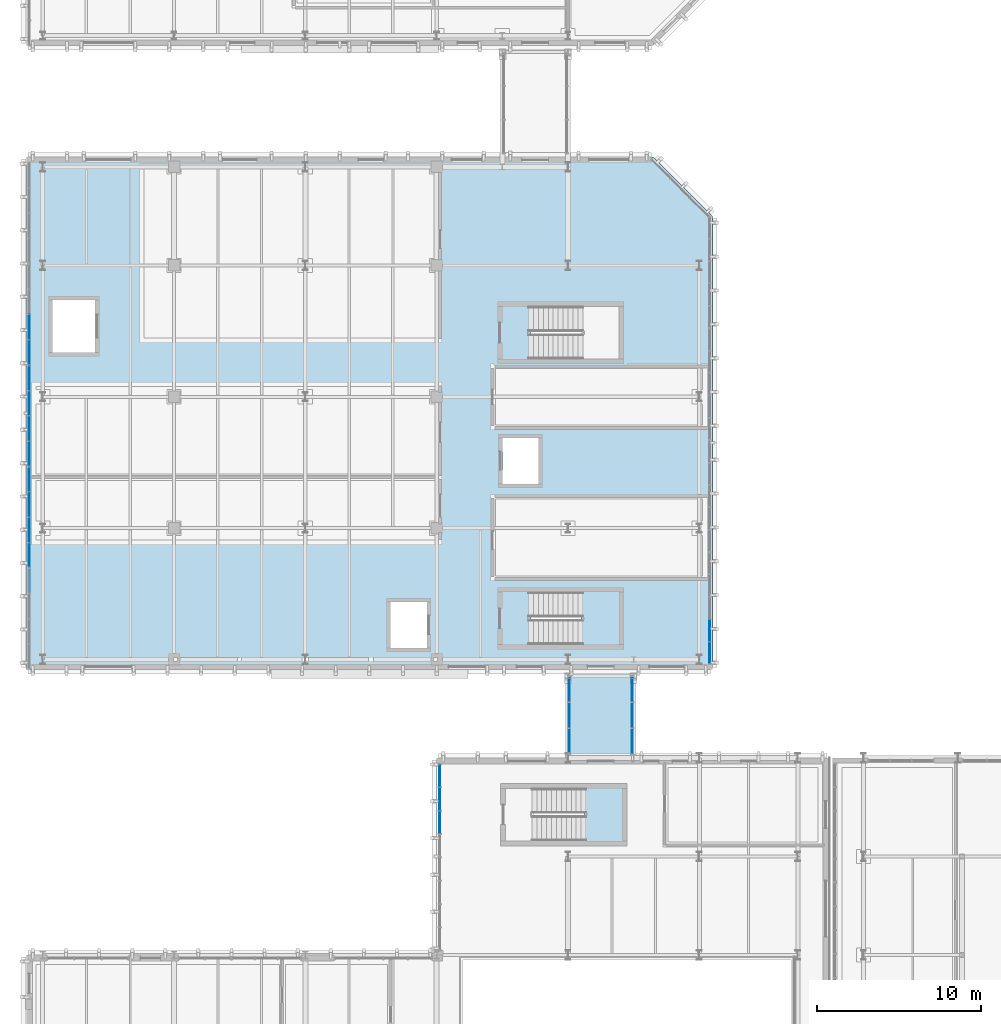
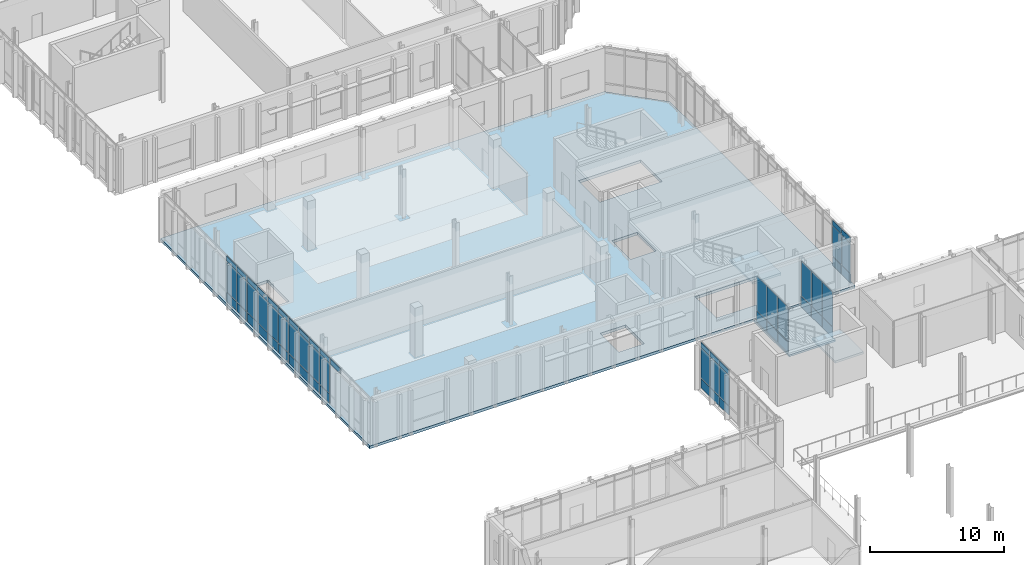
# One storey, part 49 of 100: 58 plates, 4 slabs, 10 elements without a shape of their own.
"""IFC4 building model written with IfcOpenShell, lengths in metres."""

from ifc_helpers import new_model, si_unit, direction, frame, origin, origin_2d, place, context, subcontext, project, spatial, polyline, rectangle, outline, extrude, material, layer, layer_set, type_object, element, aggregate, save


model = new_model("IFC4")

# Units and contexts
model_context = context("Model", 3, precision=1e-05, world=origin(), true_north=direction((0.0, 1.0)))
body_context = subcontext(model_context, "Body", "Model", "MODEL_VIEW")
ifc_project = project(units=[si_unit("LENGTHUNIT", "METRE"), si_unit("AREAUNIT", "SQUARE_METRE"), si_unit("VOLUMEUNIT", "CUBIC_METRE"), si_unit("PLANEANGLEUNIT", "RADIAN"), si_unit("MASSUNIT", "GRAM", prefix="KILO")], contexts=[model_context])

# Site, building, storey
site_placement = place(None, origin())
site = spatial("IfcSite", under=ifc_project, at=site_placement, CompositionType="ELEMENT")
building_placement = place(site_placement, origin())
building = spatial("IfcBuilding", under=site, at=building_placement, Name="Cymarion Research Institute", CompositionType="ELEMENT")
storey_placement = place(building_placement, frame((0.0, 0.0, 4.800048828125)))
storey = spatial("IfcBuildingStorey", under=building, at=storey_placement, Name="L01", CompositionType="ELEMENT", Elevation=4.800048828125)

# Slabs
ifc_material_1 = material(Name="Concrete C35/45", Category="concrete")
ifc_layer_1 = layer(ifc_material_1, 0.159912109375)
ifc_layer_set_1 = layer_set([ifc_layer_1], Name="Concrete C35/45")
slab_type_1 = type_object("IfcSlabType", Name="COMPOSITE FLOOR SLAB SL-BR160 160MM", PredefinedType="FLOOR", material=ifc_layer_set_1)
slab_1_placement = place(storey_placement, frame((0.0, 0.0, -0.16015625)))
element("IfcSlab", 1, at=slab_1_placement, inside=storey, type_object=slab_type_1, Name="L01 SP1 sky-passage composite deck", PredefinedType="FLOOR", context=body_context, shape_type="SweptSolid", body=[
    extrude(outline(polyline([(38.60009765625, 41.5), (42.60009765625, 41.5), (42.60009765625, 46.699951171875), (38.60009765625, 46.699951171875), (38.60009765625, 41.5)])), origin(), (0.0, 0.0, 1.0), 0.16015625),
])
ifc_layer_2 = layer(ifc_material_1, 0.25)
ifc_layer_set_2 = layer_set([ifc_layer_2], Name="Concrete C35/45")
slab_type_2 = type_object("IfcSlabType", Name="COMPOSITE FLOOR SLAB SL-FL250 250MM", PredefinedType="FLOOR", material=ifc_layer_set_2)
slab_2_placement = place(storey_placement, frame((0.0, 0.0, -0.25)))
element("IfcSlab", 2, at=slab_2_placement, inside=storey, type_object=slab_type_2, Name="L01 V4 floor slab", PredefinedType="FLOOR", context=body_context, shape_type="SweptSolid", body=[
    extrude(outline(polyline([(5.60009765625, 46.89990234375), (47.39990234375, 46.89990234375), (47.39990234375, 74.5), (43.800048828125, 78.10009765625), (5.60009765625, 78.10009765625), (5.60009765625, 46.89990234375)]), holes=[polyline([(36.340087890625, 48.39990234375), (41.699951171875, 48.39990234375), (41.699951171875, 51.60009765625), (36.340087890625, 51.60009765625), (36.340087890625, 48.39990234375)]), polyline([(27.800048828125, 48.199951171875), (30.0, 48.199951171875), (30.0, 51.0), (27.800048828125, 51.0), (27.800048828125, 48.199951171875)]), polyline([(36.340087890625, 65.800048828125), (41.699951171875, 65.800048828125), (41.699951171875, 69.0), (36.340087890625, 69.0), (36.340087890625, 65.800048828125)]), polyline([(34.60009765625, 58.199951171875), (36.800048828125, 58.199951171875), (36.800048828125, 61.0), (34.60009765625, 61.0), (34.60009765625, 58.199951171875)]), polyline([(7.199951171875, 66.199951171875), (9.800048828125, 66.199951171875), (9.800048828125, 69.39990234375), (7.199951171875, 69.39990234375), (7.199951171875, 66.199951171875)])]), origin(), (0.0, 0.0, 1.0), 0.25),
])

# Curtain wall, plates
ifc_material_2 = material(Name="Anodised aluminium unitised curtain wall with Low-E glazing", Category="aluminium")
curtain_wall_type_1 = type_object("IfcCurtainWallType", Name="UNITISED CURTAIN WALL CW15 11380X4250", PredefinedType="NOTDEFINED", material=ifc_material_2)
curtain_wall_1_placement = place(storey_placement, origin())
curtain_wall_1 = element("IfcCurtainWall", 3, at=curtain_wall_1_placement, inside=storey, type_object=curtain_wall_type_1, Name="L01 V3 unitised curtain wall CW15 #34", PredefinedType="NOTDEFINED")
ifc_material_3 = material(Name="Insulated anodised aluminium spandrel panel", Category="aluminium")
ifc_layer_3 = layer(ifc_material_3, 0.06005859375)
ifc_layer_set_3 = layer_set([ifc_layer_3], Name="Insulated anodised aluminium spandrel panel")
plate_type_1 = type_object("IfcPlateType", Name="INSULATED ALUMINIUM SPANDREL PANEL SP01 60MM", PredefinedType="SHEET", material=ifc_layer_set_3)
plate_1_placement = place(storey_placement, frame((30.7900390625, 40.411865234375, 0.059814453125), z_axis=(0.0, 0.0, 1.0), x_axis=(0.0, -1.0, 0.0)))
plate_1 = element("IfcPlate", 4, at=plate_1_placement, type_object=plate_type_1, Name="CW15 panel 1.1", PredefinedType="SHEET", context=body_context, shape_type="SweptSolid", body=[
    extrude(rectangle(XDim=1.332275390625, YDim=0.06005859375, at=origin_2d()), origin(), (0.0, 0.0, 1.0), 0.81005859375),
])
plate_2_placement = place(storey_placement, frame((30.7900390625, 40.411865234375, 3.72998046875), z_axis=(0.0, 0.0, 1.0), x_axis=(0.0, -1.0, 0.0)))
plate_2 = element("IfcPlate", 5, at=plate_2_placement, type_object=plate_type_1, Name="CW15 panel 1.3", PredefinedType="SHEET", context=body_context, shape_type="SweptSolid", body=[
    extrude(rectangle(XDim=1.332275390625, YDim=0.06005859375, at=origin_2d()), origin(), (0.0, 0.0, 1.0), 0.4599609375),
])
plate_3_placement = place(storey_placement, frame((30.7900390625, 39.004638671875, 0.059814453125), z_axis=(0.0, 0.0, 1.0), x_axis=(0.0, -1.0, 0.0)))
plate_3 = element("IfcPlate", 6, at=plate_3_placement, type_object=plate_type_1, Name="CW15 panel 2.1", PredefinedType="SHEET", context=body_context, shape_type="SweptSolid", body=[
    extrude(rectangle(XDim=1.3623046875, YDim=0.06005859375, at=origin_2d()), origin(), (0.0, 0.0, 1.0), 0.81005859375),
])
plate_4_placement = place(storey_placement, frame((30.7900390625, 39.004638671875, 3.72998046875), z_axis=(0.0, 0.0, 1.0), x_axis=(0.0, -1.0, 0.0)))
plate_4 = element("IfcPlate", 7, at=plate_4_placement, type_object=plate_type_1, Name="CW15 panel 2.3", PredefinedType="SHEET", context=body_context, shape_type="SweptSolid", body=[
    extrude(rectangle(XDim=1.3623046875, YDim=0.06005859375, at=origin_2d()), origin(), (0.0, 0.0, 1.0), 0.4599609375),
])
plate_5_placement = place(storey_placement, frame((30.7900390625, 37.582275390625, 0.059814453125), z_axis=(0.0, 0.0, 1.0), x_axis=(0.0, -1.0, 0.0)))
plate_5 = element("IfcPlate", 8, at=plate_5_placement, type_object=plate_type_1, Name="CW15 panel 3.1", PredefinedType="SHEET", context=body_context, shape_type="SweptSolid", body=[
    extrude(rectangle(XDim=1.3623046875, YDim=0.06005859375, at=origin_2d()), origin(), (0.0, 0.0, 1.0), 0.81005859375),
])
plate_6_placement = place(storey_placement, frame((30.7900390625, 37.582275390625, 3.72998046875), z_axis=(0.0, 0.0, 1.0), x_axis=(0.0, -1.0, 0.0)))
plate_6 = element("IfcPlate", 9, at=plate_6_placement, type_object=plate_type_1, Name="CW15 panel 3.3", PredefinedType="SHEET", context=body_context, shape_type="SweptSolid", body=[
    extrude(rectangle(XDim=1.3623046875, YDim=0.06005859375, at=origin_2d()), origin(), (0.0, 0.0, 1.0), 0.4599609375),
])

curtain_wall_type_2 = type_object("IfcCurtainWallType", Name="UNITISED CURTAIN WALL CW20 6820X4250", PredefinedType="NOTDEFINED", material=ifc_material_2)
curtain_wall_2_placement = place(storey_placement, origin())
curtain_wall_2 = element("IfcCurtainWall", 10, at=curtain_wall_2_placement, inside=storey, type_object=curtain_wall_type_2, Name="L01 V4 unitised curtain wall CW20 #39", PredefinedType="NOTDEFINED")
plate_7_placement = place(storey_placement, frame((47.22998046875, 47.9189453125, 0.059814453125), z_axis=(0.0, 0.0, 1.0), x_axis=(0.0, 1.0, 0.0)))
plate_7 = element("IfcPlate", 11, at=plate_7_placement, type_object=plate_type_1, Name="CW20 panel 1.1", PredefinedType="SHEET", context=body_context, shape_type="SweptSolid", body=[
    extrude(rectangle(XDim=1.27392578125, YDim=0.06005859375, at=origin_2d()), origin(), (0.0, 0.0, 1.0), 0.81005859375),
])
plate_8_placement = place(storey_placement, frame((47.22998046875, 47.9189453125, 3.72998046875), z_axis=(0.0, 0.0, 1.0), x_axis=(0.0, 1.0, 0.0)))
plate_8 = element("IfcPlate", 12, at=plate_8_placement, type_object=plate_type_1, Name="CW20 panel 1.3", PredefinedType="SHEET", context=body_context, shape_type="SweptSolid", body=[
    extrude(rectangle(XDim=1.27392578125, YDim=0.06005859375, at=origin_2d()), origin(), (0.0, 0.0, 1.0), 0.4599609375),
])
plate_9_placement = place(storey_placement, frame((47.22998046875, 49.267822265625, 0.059814453125), z_axis=(0.0, 0.0, 1.0), x_axis=(0.0, 1.0, 0.0)))
plate_9 = element("IfcPlate", 13, at=plate_9_placement, type_object=plate_type_1, Name="CW20 panel 2.1", PredefinedType="SHEET", context=body_context, shape_type="SweptSolid", body=[
    extrude(rectangle(XDim=1.303955078125, YDim=0.06005859375, at=origin_2d()), origin(), (0.0, 0.0, 1.0), 0.81005859375),
])
plate_10_placement = place(storey_placement, frame((47.22998046875, 49.267822265625, 3.72998046875), z_axis=(0.0, 0.0, 1.0), x_axis=(0.0, 1.0, 0.0)))
plate_10 = element("IfcPlate", 14, at=plate_10_placement, type_object=plate_type_1, Name="CW20 panel 2.3", PredefinedType="SHEET", context=body_context, shape_type="SweptSolid", body=[
    extrude(rectangle(XDim=1.303955078125, YDim=0.06005859375, at=origin_2d()), origin(), (0.0, 0.0, 1.0), 0.4599609375),
])

curtain_wall_type_3 = type_object("IfcCurtainWallType", Name="UNITISED CURTAIN WALL CW22 6180X4250", PredefinedType="NOTDEFINED", material=ifc_material_2)
curtain_wall_3_placement = place(storey_placement, origin())
curtain_wall_3 = element("IfcCurtainWall", 15, at=curtain_wall_3_placement, inside=storey, type_object=curtain_wall_type_3, Name="L01 V4 unitised curtain wall CW22 #45", PredefinedType="NOTDEFINED")
plate_11_placement = place(storey_placement, frame((5.77001953125, 67.74267578125, 0.059814453125), z_axis=(0.0, 0.0, 1.0), x_axis=(0.0, -1.0, 0.0)))
plate_11 = element("IfcPlate", 16, at=plate_11_placement, type_object=plate_type_1, Name="CW22 panel 3.1", PredefinedType="SHEET", context=body_context, shape_type="SweptSolid", body=[
    extrude(rectangle(XDim=1.48388671875, YDim=0.06005859375, at=origin_2d()), origin(), (0.0, 0.0, 1.0), 0.81005859375),
])
plate_12_placement = place(storey_placement, frame((5.77001953125, 67.74267578125, 3.72998046875), z_axis=(0.0, 0.0, 1.0), x_axis=(0.0, -1.0, 0.0)))
plate_12 = element("IfcPlate", 17, at=plate_12_placement, type_object=plate_type_1, Name="CW22 panel 3.3", PredefinedType="SHEET", context=body_context, shape_type="SweptSolid", body=[
    extrude(rectangle(XDim=1.48388671875, YDim=0.06005859375, at=origin_2d()), origin(), (0.0, 0.0, 1.0), 0.4599609375),
])
plate_13_placement = place(storey_placement, frame((5.77001953125, 66.2138671875, 0.059814453125), z_axis=(0.0, 0.0, 1.0), x_axis=(0.0, -1.0, 0.0)))
plate_13 = element("IfcPlate", 18, at=plate_13_placement, type_object=plate_type_1, Name="CW22 panel 4.1", PredefinedType="SHEET", context=body_context, shape_type="SweptSolid", body=[
    extrude(rectangle(XDim=1.453857421875, YDim=0.06005859375, at=origin_2d()), origin(), (0.0, 0.0, 1.0), 0.81005859375),
])
plate_14_placement = place(storey_placement, frame((5.77001953125, 66.2138671875, 3.72998046875), z_axis=(0.0, 0.0, 1.0), x_axis=(0.0, -1.0, 0.0)))
plate_14 = element("IfcPlate", 19, at=plate_14_placement, type_object=plate_type_1, Name="CW22 panel 4.3", PredefinedType="SHEET", context=body_context, shape_type="SweptSolid", body=[
    extrude(rectangle(XDim=1.453857421875, YDim=0.06005859375, at=origin_2d()), origin(), (0.0, 0.0, 1.0), 0.4599609375),
])

curtain_wall_4_placement = place(storey_placement, origin())
curtain_wall_4 = element("IfcCurtainWall", 20, at=curtain_wall_4_placement, inside=storey, type_object=curtain_wall_type_3, Name="L01 V4 unitised curtain wall CW22 #46", PredefinedType="NOTDEFINED")
plate_15_placement = place(storey_placement, frame((5.77001953125, 64.639892578125, 0.059814453125), z_axis=(0.0, 0.0, 1.0), x_axis=(0.0, -1.0, 0.0)))
plate_15 = element("IfcPlate", 21, at=plate_15_placement, type_object=plate_type_1, Name="CW22 panel 1.1", PredefinedType="SHEET", context=body_context, shape_type="SweptSolid", body=[
    extrude(rectangle(XDim=1.453857421875, YDim=0.06005859375, at=origin_2d()), origin(), (0.0, 0.0, 1.0), 0.81005859375),
])
plate_16_placement = place(storey_placement, frame((5.77001953125, 64.639892578125, 3.72998046875), z_axis=(0.0, 0.0, 1.0), x_axis=(0.0, -1.0, 0.0)))
plate_16 = element("IfcPlate", 22, at=plate_16_placement, type_object=plate_type_1, Name="CW22 panel 1.3", PredefinedType="SHEET", context=body_context, shape_type="SweptSolid", body=[
    extrude(rectangle(XDim=1.453857421875, YDim=0.06005859375, at=origin_2d()), origin(), (0.0, 0.0, 1.0), 0.4599609375),
])
plate_17_placement = place(storey_placement, frame((5.77001953125, 63.11083984375, 0.059814453125), z_axis=(0.0, 0.0, 1.0), x_axis=(0.0, -1.0, 0.0)))
plate_17 = element("IfcPlate", 23, at=plate_17_placement, type_object=plate_type_1, Name="CW22 panel 2.1", PredefinedType="SHEET", context=body_context, shape_type="SweptSolid", body=[
    extrude(rectangle(XDim=1.48388671875, YDim=0.06005859375, at=origin_2d()), origin(), (0.0, 0.0, 1.0), 0.81005859375),
])
plate_18_placement = place(storey_placement, frame((5.77001953125, 63.11083984375, 3.72998046875), z_axis=(0.0, 0.0, 1.0), x_axis=(0.0, -1.0, 0.0)))
plate_18 = element("IfcPlate", 24, at=plate_18_placement, type_object=plate_type_1, Name="CW22 panel 2.3", PredefinedType="SHEET", context=body_context, shape_type="SweptSolid", body=[
    extrude(rectangle(XDim=1.48388671875, YDim=0.06005859375, at=origin_2d()), origin(), (0.0, 0.0, 1.0), 0.4599609375),
])
plate_19_placement = place(storey_placement, frame((5.77001953125, 61.567138671875, 0.059814453125), z_axis=(0.0, 0.0, 1.0), x_axis=(0.0, -1.0, 0.0)))
plate_19 = element("IfcPlate", 25, at=plate_19_placement, type_object=plate_type_1, Name="CW22 panel 3.1", PredefinedType="SHEET", context=body_context, shape_type="SweptSolid", body=[
    extrude(rectangle(XDim=1.48388671875, YDim=0.06005859375, at=origin_2d()), origin(), (0.0, 0.0, 1.0), 0.81005859375),
])
plate_20_placement = place(storey_placement, frame((5.77001953125, 61.567138671875, 3.72998046875), z_axis=(0.0, 0.0, 1.0), x_axis=(0.0, -1.0, 0.0)))
plate_20 = element("IfcPlate", 26, at=plate_20_placement, type_object=plate_type_1, Name="CW22 panel 3.3", PredefinedType="SHEET", context=body_context, shape_type="SweptSolid", body=[
    extrude(rectangle(XDim=1.48388671875, YDim=0.06005859375, at=origin_2d()), origin(), (0.0, 0.0, 1.0), 0.4599609375),
])
plate_21_placement = place(storey_placement, frame((5.77001953125, 60.0380859375, 0.059814453125), z_axis=(0.0, 0.0, 1.0), x_axis=(0.0, -1.0, 0.0)))
plate_21 = element("IfcPlate", 27, at=plate_21_placement, type_object=plate_type_1, Name="CW22 panel 4.1", PredefinedType="SHEET", context=body_context, shape_type="SweptSolid", body=[
    extrude(rectangle(XDim=1.453857421875, YDim=0.06005859375, at=origin_2d()), origin(), (0.0, 0.0, 1.0), 0.81005859375),
])
plate_22_placement = place(storey_placement, frame((5.77001953125, 60.0380859375, 3.72998046875), z_axis=(0.0, 0.0, 1.0), x_axis=(0.0, -1.0, 0.0)))
plate_22 = element("IfcPlate", 28, at=plate_22_placement, type_object=plate_type_1, Name="CW22 panel 4.3", PredefinedType="SHEET", context=body_context, shape_type="SweptSolid", body=[
    extrude(rectangle(XDim=1.453857421875, YDim=0.06005859375, at=origin_2d()), origin(), (0.0, 0.0, 1.0), 0.4599609375),
])

curtain_wall_5_placement = place(storey_placement, origin())
curtain_wall_5 = element("IfcCurtainWall", 29, at=curtain_wall_5_placement, inside=storey, type_object=curtain_wall_type_3, Name="L01 V4 unitised curtain wall CW22 #47", PredefinedType="NOTDEFINED")
plate_23_placement = place(storey_placement, frame((5.77001953125, 58.46435546875, 0.059814453125), z_axis=(0.0, 0.0, 1.0), x_axis=(0.0, -1.0, 0.0)))
plate_23 = element("IfcPlate", 30, at=plate_23_placement, type_object=plate_type_1, Name="CW22 panel 1.1", PredefinedType="SHEET", context=body_context, shape_type="SweptSolid", body=[
    extrude(rectangle(XDim=1.453857421875, YDim=0.06005859375, at=origin_2d()), origin(), (0.0, 0.0, 1.0), 0.81005859375),
])
plate_24_placement = place(storey_placement, frame((5.77001953125, 58.46435546875, 3.72998046875), z_axis=(0.0, 0.0, 1.0), x_axis=(0.0, -1.0, 0.0)))
plate_24 = element("IfcPlate", 31, at=plate_24_placement, type_object=plate_type_1, Name="CW22 panel 1.3", PredefinedType="SHEET", context=body_context, shape_type="SweptSolid", body=[
    extrude(rectangle(XDim=1.453857421875, YDim=0.06005859375, at=origin_2d()), origin(), (0.0, 0.0, 1.0), 0.4599609375),
])
plate_25_placement = place(storey_placement, frame((5.77001953125, 56.935302734375, 0.059814453125), z_axis=(0.0, 0.0, 1.0), x_axis=(0.0, -1.0, 0.0)))
plate_25 = element("IfcPlate", 32, at=plate_25_placement, type_object=plate_type_1, Name="CW22 panel 2.1", PredefinedType="SHEET", context=body_context, shape_type="SweptSolid", body=[
    extrude(rectangle(XDim=1.48388671875, YDim=0.06005859375, at=origin_2d()), origin(), (0.0, 0.0, 1.0), 0.81005859375),
])
plate_26_placement = place(storey_placement, frame((5.77001953125, 56.935302734375, 3.72998046875), z_axis=(0.0, 0.0, 1.0), x_axis=(0.0, -1.0, 0.0)))
plate_26 = element("IfcPlate", 33, at=plate_26_placement, type_object=plate_type_1, Name="CW22 panel 2.3", PredefinedType="SHEET", context=body_context, shape_type="SweptSolid", body=[
    extrude(rectangle(XDim=1.48388671875, YDim=0.06005859375, at=origin_2d()), origin(), (0.0, 0.0, 1.0), 0.4599609375),
])
plate_27_placement = place(storey_placement, frame((5.77001953125, 55.391357421875, 0.059814453125), z_axis=(0.0, 0.0, 1.0), x_axis=(0.0, -1.0, 0.0)))
plate_27 = element("IfcPlate", 34, at=plate_27_placement, type_object=plate_type_1, Name="CW22 panel 3.1", PredefinedType="SHEET", context=body_context, shape_type="SweptSolid", body=[
    extrude(rectangle(XDim=1.48388671875, YDim=0.06005859375, at=origin_2d()), origin(), (0.0, 0.0, 1.0), 0.81005859375),
])
plate_28_placement = place(storey_placement, frame((5.77001953125, 55.391357421875, 3.72998046875), z_axis=(0.0, 0.0, 1.0), x_axis=(0.0, -1.0, 0.0)))
plate_28 = element("IfcPlate", 35, at=plate_28_placement, type_object=plate_type_1, Name="CW22 panel 3.3", PredefinedType="SHEET", context=body_context, shape_type="SweptSolid", body=[
    extrude(rectangle(XDim=1.48388671875, YDim=0.06005859375, at=origin_2d()), origin(), (0.0, 0.0, 1.0), 0.4599609375),
])
plate_29_placement = place(storey_placement, frame((5.77001953125, 53.862548828125, 0.059814453125), z_axis=(0.0, 0.0, 1.0), x_axis=(0.0, -1.0, 0.0)))
plate_29 = element("IfcPlate", 36, at=plate_29_placement, type_object=plate_type_1, Name="CW22 panel 4.1", PredefinedType="SHEET", context=body_context, shape_type="SweptSolid", body=[
    extrude(rectangle(XDim=1.453857421875, YDim=0.06005859375, at=origin_2d()), origin(), (0.0, 0.0, 1.0), 0.81005859375),
])
plate_30_placement = place(storey_placement, frame((5.77001953125, 53.862548828125, 3.72998046875), z_axis=(0.0, 0.0, 1.0), x_axis=(0.0, -1.0, 0.0)))
plate_30 = element("IfcPlate", 37, at=plate_30_placement, type_object=plate_type_1, Name="CW22 panel 4.3", PredefinedType="SHEET", context=body_context, shape_type="SweptSolid", body=[
    extrude(rectangle(XDim=1.453857421875, YDim=0.06005859375, at=origin_2d()), origin(), (0.0, 0.0, 1.0), 0.4599609375),
])

# Curtain wall, plate
curtain_wall_6_placement = place(storey_placement, origin())
curtain_wall_6 = element("IfcCurtainWall", 38, at=curtain_wall_6_placement, inside=storey, type_object=curtain_wall_type_3, Name="L01 V4 unitised curtain wall CW22 #48", PredefinedType="NOTDEFINED")
plate_31_placement = place(storey_placement, frame((5.77001953125, 52.28857421875, 3.72998046875), z_axis=(0.0, 0.0, 1.0), x_axis=(0.0, -1.0, 0.0)))
plate_31 = element("IfcPlate", 39, at=plate_31_placement, type_object=plate_type_1, Name="CW22 panel 1.3", PredefinedType="SHEET", context=body_context, shape_type="SweptSolid", body=[
    extrude(rectangle(XDim=1.453857421875, YDim=0.06005859375, at=origin_2d()), origin(), (0.0, 0.0, 1.0), 0.4599609375),
])
aggregate(curtain_wall_6, [plate_31])

# Curtain wall, plates
curtain_wall_type_4 = type_object("IfcCurtainWallType", Name="UNITISED CURTAIN WALL CW24 4800X4260", PredefinedType="NOTDEFINED", material=ifc_material_2)
curtain_wall_7_placement = place(storey_placement, origin())
curtain_wall_7 = element("IfcCurtainWall", 40, at=curtain_wall_7_placement, inside=storey, type_object=curtain_wall_type_4, Name="L01 SP1 sky-passage glazed wall 1", PredefinedType="NOTDEFINED")
plate_32_placement = place(storey_placement, frame((38.679931640625, 42.514892578125, 0.06005859375), z_axis=(0.0, 0.0, 1.0), x_axis=(0.0, 1.0, 0.0)))
plate_32 = element("IfcPlate", 41, at=plate_32_placement, type_object=plate_type_1, Name="CW24 panel 1.1", PredefinedType="SHEET", context=body_context, shape_type="SweptSolid", body=[
    extrude(rectangle(XDim=1.510009765625, YDim=0.06005859375, at=origin_2d()), origin(), (0.0, 0.0, 1.0), 0.9599609375),
])
plate_33_placement = place(storey_placement, frame((38.679931640625, 44.10009765625, 0.06005859375), z_axis=(0.0, 0.0, 1.0), x_axis=(0.0, 1.0, 0.0)))
plate_33 = element("IfcPlate", 42, at=plate_33_placement, type_object=plate_type_1, Name="CW24 panel 2.1", PredefinedType="SHEET", context=body_context, shape_type="SweptSolid", body=[
    extrude(rectangle(XDim=1.5400390625, YDim=0.06005859375, at=origin_2d()), origin(), (0.0, 0.0, 1.0), 0.9599609375),
])
plate_34_placement = place(storey_placement, frame((38.679931640625, 45.68505859375, 0.06005859375), z_axis=(0.0, 0.0, 1.0), x_axis=(0.0, 1.0, 0.0)))
plate_34 = element("IfcPlate", 43, at=plate_34_placement, type_object=plate_type_1, Name="CW24 panel 3.1", PredefinedType="SHEET", context=body_context, shape_type="SweptSolid", body=[
    extrude(rectangle(XDim=1.510009765625, YDim=0.06005859375, at=origin_2d()), origin(), (0.0, 0.0, 1.0), 0.9599609375),
])

curtain_wall_8_placement = place(storey_placement, origin())
curtain_wall_8 = element("IfcCurtainWall", 44, at=curtain_wall_8_placement, inside=storey, type_object=curtain_wall_type_4, Name="L01 SP1 sky-passage glazed wall 2", PredefinedType="NOTDEFINED")
plate_35_placement = place(storey_placement, frame((42.52001953125, 42.514892578125, 0.06005859375), z_axis=(0.0, 0.0, 1.0), x_axis=(0.0, 1.0, 0.0)))
plate_35 = element("IfcPlate", 45, at=plate_35_placement, type_object=plate_type_1, Name="CW24 panel 1.1", PredefinedType="SHEET", context=body_context, shape_type="SweptSolid", body=[
    extrude(rectangle(XDim=1.510009765625, YDim=0.06005859375, at=origin_2d()), origin(), (0.0, 0.0, 1.0), 0.9599609375),
])
plate_36_placement = place(storey_placement, frame((42.52001953125, 44.10009765625, 0.06005859375), z_axis=(0.0, 0.0, 1.0), x_axis=(0.0, 1.0, 0.0)))
plate_36 = element("IfcPlate", 46, at=plate_36_placement, type_object=plate_type_1, Name="CW24 panel 2.1", PredefinedType="SHEET", context=body_context, shape_type="SweptSolid", body=[
    extrude(rectangle(XDim=1.5400390625, YDim=0.06005859375, at=origin_2d()), origin(), (0.0, 0.0, 1.0), 0.9599609375),
])
plate_37_placement = place(storey_placement, frame((42.52001953125, 45.68505859375, 0.06005859375), z_axis=(0.0, 0.0, 1.0), x_axis=(0.0, 1.0, 0.0)))
plate_37 = element("IfcPlate", 47, at=plate_37_placement, type_object=plate_type_1, Name="CW24 panel 3.1", PredefinedType="SHEET", context=body_context, shape_type="SweptSolid", body=[
    extrude(rectangle(XDim=1.510009765625, YDim=0.06005859375, at=origin_2d()), origin(), (0.0, 0.0, 1.0), 0.9599609375),
])

# Stair, slab
stair_type = type_object("IfcStairType", Name="REINFORCED CONCRETE DOGLEG STAIR STR-4500", PredefinedType="HALF_TURN_STAIR", material=ifc_material_1)
stair_1_placement = place(storey_placement, origin())
stair_1 = element("IfcStair", 48, at=stair_1_placement, inside=storey, type_object=stair_type, Name="L01 Core C6 Smoke-Proof Exit Stair ST6", PredefinedType="HALF_TURN_STAIR")
ifc_layer_4 = layer(ifc_material_1, 0.199951171875)
ifc_layer_set_4 = layer_set([ifc_layer_4], Name="Concrete C35/45")
slab_type_3 = type_object("IfcSlabType", Name="REINFORCED CONCRETE STAIR LANDING LDG200", PredefinedType="LANDING", material=ifc_layer_set_4)
slab_3_placement = place(storey_placement, frame((0.0, 0.0, 2.050048828125)))
slab_3 = element("IfcSlab", 49, at=slab_3_placement, type_object=slab_type_3, Name="ST6 landing 1", PredefinedType="LANDING", context=body_context, shape_type="SweptSolid", body=[
    extrude(outline(polyline([(39.580078125, 36.330078125), (39.580078125, 39.77001953125), (42.02001953125, 39.77001953125), (42.02001953125, 36.330078125), (39.580078125, 36.330078125)])), origin(), (0.0, 0.0, 1.0), 0.199951171875),
])
aggregate(stair_1, [slab_3])

stair_2_placement = place(storey_placement, origin())
stair_2 = element("IfcStair", 50, at=stair_2_placement, inside=storey, type_object=stair_type, Name="L01 Core C7 Smoke-Proof Exit Stair ST7", PredefinedType="HALF_TURN_STAIR")
slab_4_placement = place(storey_placement, frame((0.0, 0.0, 2.050048828125)))
slab_4 = element("IfcSlab", 51, at=slab_4_placement, type_object=slab_type_3, Name="ST7 landing 1", PredefinedType="LANDING", context=body_context, shape_type="SweptSolid", body=[
    extrude(outline(polyline([(39.3798828125, 48.280029296875), (39.3798828125, 51.719970703125), (41.820068359375, 51.719970703125), (41.820068359375, 48.280029296875), (39.3798828125, 48.280029296875)])), origin(), (0.0, 0.0, 1.0), 0.199951171875),
])
aggregate(stair_2, [slab_4])

# Plate
ifc_material_4 = material(Name="Low-E double solar-control glazing", Category="glass")
ifc_layer_5 = layer(ifc_material_4, 0.035888671875)
ifc_layer_set_5 = layer_set([ifc_layer_5], Name="Low-E double solar-control glazing")
plate_type_2 = type_object("IfcPlateType", Name="SOLAR CONTROL GLAZED VISION PANEL GP01 36MM", PredefinedType="CURTAIN_PANEL", material=ifc_layer_set_5)
plate_38_placement = place(storey_placement, frame((30.7900390625, 40.411865234375, 0.93017578125), z_axis=(0.0, 0.0, 1.0), x_axis=(0.0, -1.0, 0.0)))
plate_38 = element("IfcPlate", 52, at=plate_38_placement, type_object=plate_type_2, Name="CW15 panel 1.2", PredefinedType="CURTAIN_PANEL", context=body_context, shape_type="SweptSolid", body=[
    extrude(rectangle(XDim=1.332275390625, YDim=0.035888671875, at=origin_2d()), origin(), (0.0, 0.0, 1.0), 2.739990234375),
])

plate_39_placement = place(storey_placement, frame((30.7900390625, 39.004638671875, 0.93017578125), z_axis=(0.0, 0.0, 1.0), x_axis=(0.0, -1.0, 0.0)))
plate_39 = element("IfcPlate", 53, at=plate_39_placement, type_object=plate_type_2, Name="CW15 panel 2.2", PredefinedType="CURTAIN_PANEL", context=body_context, shape_type="SweptSolid", body=[
    extrude(rectangle(XDim=1.3623046875, YDim=0.035888671875, at=origin_2d()), origin(), (0.0, 0.0, 1.0), 2.739990234375),
])

plate_40_placement = place(storey_placement, frame((30.7900390625, 37.582275390625, 0.93017578125), z_axis=(0.0, 0.0, 1.0), x_axis=(0.0, -1.0, 0.0)))
plate_40 = element("IfcPlate", 54, at=plate_40_placement, type_object=plate_type_2, Name="CW15 panel 3.2", PredefinedType="CURTAIN_PANEL", context=body_context, shape_type="SweptSolid", body=[
    extrude(rectangle(XDim=1.3623046875, YDim=0.035888671875, at=origin_2d()), origin(), (0.0, 0.0, 1.0), 2.739990234375),
])

aggregate(curtain_wall_1, [plate_1, plate_38, plate_2, plate_3, plate_39, plate_4, plate_5, plate_40, plate_6])

plate_41_placement = place(storey_placement, frame((47.22998046875, 47.9189453125, 0.93017578125), z_axis=(0.0, 0.0, 1.0), x_axis=(0.0, 1.0, 0.0)))
plate_41 = element("IfcPlate", 55, at=plate_41_placement, type_object=plate_type_2, Name="CW20 panel 1.2", PredefinedType="CURTAIN_PANEL", context=body_context, shape_type="SweptSolid", body=[
    extrude(rectangle(XDim=1.27392578125, YDim=0.035888671875, at=origin_2d()), origin(), (0.0, 0.0, 1.0), 2.739990234375),
])

plate_42_placement = place(storey_placement, frame((47.22998046875, 49.267822265625, 0.93017578125), z_axis=(0.0, 0.0, 1.0), x_axis=(0.0, 1.0, 0.0)))
plate_42 = element("IfcPlate", 56, at=plate_42_placement, type_object=plate_type_2, Name="CW20 panel 2.2", PredefinedType="CURTAIN_PANEL", context=body_context, shape_type="SweptSolid", body=[
    extrude(rectangle(XDim=1.303955078125, YDim=0.035888671875, at=origin_2d()), origin(), (0.0, 0.0, 1.0), 2.739990234375),
])

aggregate(curtain_wall_2, [plate_7, plate_41, plate_8, plate_9, plate_42, plate_10])

plate_43_placement = place(storey_placement, frame((5.77001953125, 67.74267578125, 0.93017578125), z_axis=(0.0, 0.0, 1.0), x_axis=(0.0, -1.0, 0.0)))
plate_43 = element("IfcPlate", 57, at=plate_43_placement, type_object=plate_type_2, Name="CW22 panel 3.2", PredefinedType="CURTAIN_PANEL", context=body_context, shape_type="SweptSolid", body=[
    extrude(rectangle(XDim=1.48388671875, YDim=0.035888671875, at=origin_2d()), origin(), (0.0, 0.0, 1.0), 2.739990234375),
])

plate_44_placement = place(storey_placement, frame((5.77001953125, 66.2138671875, 0.93017578125), z_axis=(0.0, 0.0, 1.0), x_axis=(0.0, -1.0, 0.0)))
plate_44 = element("IfcPlate", 58, at=plate_44_placement, type_object=plate_type_2, Name="CW22 panel 4.2", PredefinedType="CURTAIN_PANEL", context=body_context, shape_type="SweptSolid", body=[
    extrude(rectangle(XDim=1.453857421875, YDim=0.035888671875, at=origin_2d()), origin(), (0.0, 0.0, 1.0), 2.739990234375),
])

aggregate(curtain_wall_3, [plate_11, plate_43, plate_12, plate_13, plate_44, plate_14])

plate_45_placement = place(storey_placement, frame((5.77001953125, 64.639892578125, 0.93017578125), z_axis=(0.0, 0.0, 1.0), x_axis=(0.0, -1.0, 0.0)))
plate_45 = element("IfcPlate", 59, at=plate_45_placement, type_object=plate_type_2, Name="CW22 panel 1.2", PredefinedType="CURTAIN_PANEL", context=body_context, shape_type="SweptSolid", body=[
    extrude(rectangle(XDim=1.453857421875, YDim=0.035888671875, at=origin_2d()), origin(), (0.0, 0.0, 1.0), 2.739990234375),
])

plate_46_placement = place(storey_placement, frame((5.77001953125, 63.11083984375, 0.93017578125), z_axis=(0.0, 0.0, 1.0), x_axis=(0.0, -1.0, 0.0)))
plate_46 = element("IfcPlate", 60, at=plate_46_placement, type_object=plate_type_2, Name="CW22 panel 2.2", PredefinedType="CURTAIN_PANEL", context=body_context, shape_type="SweptSolid", body=[
    extrude(rectangle(XDim=1.48388671875, YDim=0.035888671875, at=origin_2d()), origin(), (0.0, 0.0, 1.0), 2.739990234375),
])

plate_47_placement = place(storey_placement, frame((5.77001953125, 61.567138671875, 0.93017578125), z_axis=(0.0, 0.0, 1.0), x_axis=(0.0, -1.0, 0.0)))
plate_47 = element("IfcPlate", 61, at=plate_47_placement, type_object=plate_type_2, Name="CW22 panel 3.2", PredefinedType="CURTAIN_PANEL", context=body_context, shape_type="SweptSolid", body=[
    extrude(rectangle(XDim=1.48388671875, YDim=0.035888671875, at=origin_2d()), origin(), (0.0, 0.0, 1.0), 2.739990234375),
])

plate_48_placement = place(storey_placement, frame((5.77001953125, 60.0380859375, 0.93017578125), z_axis=(0.0, 0.0, 1.0), x_axis=(0.0, -1.0, 0.0)))
plate_48 = element("IfcPlate", 62, at=plate_48_placement, type_object=plate_type_2, Name="CW22 panel 4.2", PredefinedType="CURTAIN_PANEL", context=body_context, shape_type="SweptSolid", body=[
    extrude(rectangle(XDim=1.453857421875, YDim=0.035888671875, at=origin_2d()), origin(), (0.0, 0.0, 1.0), 2.739990234375),
])

aggregate(curtain_wall_4, [plate_15, plate_45, plate_16, plate_17, plate_46, plate_18, plate_19, plate_47, plate_20, plate_21, plate_48, plate_22])

plate_49_placement = place(storey_placement, frame((5.77001953125, 58.46435546875, 0.93017578125), z_axis=(0.0, 0.0, 1.0), x_axis=(0.0, -1.0, 0.0)))
plate_49 = element("IfcPlate", 63, at=plate_49_placement, type_object=plate_type_2, Name="CW22 panel 1.2", PredefinedType="CURTAIN_PANEL", context=body_context, shape_type="SweptSolid", body=[
    extrude(rectangle(XDim=1.453857421875, YDim=0.035888671875, at=origin_2d()), origin(), (0.0, 0.0, 1.0), 2.739990234375),
])

plate_50_placement = place(storey_placement, frame((5.77001953125, 56.935302734375, 0.93017578125), z_axis=(0.0, 0.0, 1.0), x_axis=(0.0, -1.0, 0.0)))
plate_50 = element("IfcPlate", 64, at=plate_50_placement, type_object=plate_type_2, Name="CW22 panel 2.2", PredefinedType="CURTAIN_PANEL", context=body_context, shape_type="SweptSolid", body=[
    extrude(rectangle(XDim=1.48388671875, YDim=0.035888671875, at=origin_2d()), origin(), (0.0, 0.0, 1.0), 2.739990234375),
])

plate_51_placement = place(storey_placement, frame((5.77001953125, 55.391357421875, 0.93017578125), z_axis=(0.0, 0.0, 1.0), x_axis=(0.0, -1.0, 0.0)))
plate_51 = element("IfcPlate", 65, at=plate_51_placement, type_object=plate_type_2, Name="CW22 panel 3.2", PredefinedType="CURTAIN_PANEL", context=body_context, shape_type="SweptSolid", body=[
    extrude(rectangle(XDim=1.48388671875, YDim=0.035888671875, at=origin_2d()), origin(), (0.0, 0.0, 1.0), 2.739990234375),
])

plate_52_placement = place(storey_placement, frame((5.77001953125, 53.862548828125, 0.93017578125), z_axis=(0.0, 0.0, 1.0), x_axis=(0.0, -1.0, 0.0)))
plate_52 = element("IfcPlate", 66, at=plate_52_placement, type_object=plate_type_2, Name="CW22 panel 4.2", PredefinedType="CURTAIN_PANEL", context=body_context, shape_type="SweptSolid", body=[
    extrude(rectangle(XDim=1.453857421875, YDim=0.035888671875, at=origin_2d()), origin(), (0.0, 0.0, 1.0), 2.739990234375),
])

aggregate(curtain_wall_5, [plate_23, plate_49, plate_24, plate_25, plate_50, plate_26, plate_27, plate_51, plate_28, plate_29, plate_52, plate_30])

plate_53_placement = place(storey_placement, frame((38.679931640625, 42.514892578125, 1.079833984375), z_axis=(0.0, 0.0, 1.0), x_axis=(0.0, 1.0, 0.0)))
plate_53 = element("IfcPlate", 67, at=plate_53_placement, type_object=plate_type_2, Name="CW24 panel 1.2", PredefinedType="CURTAIN_PANEL", context=body_context, shape_type="SweptSolid", body=[
    extrude(rectangle(XDim=1.510009765625, YDim=0.035888671875, at=origin_2d()), origin(), (0.0, 0.0, 1.0), 3.1201171875),
])

plate_54_placement = place(storey_placement, frame((38.679931640625, 44.10009765625, 1.079833984375), z_axis=(0.0, 0.0, 1.0), x_axis=(0.0, 1.0, 0.0)))
plate_54 = element("IfcPlate", 68, at=plate_54_placement, type_object=plate_type_2, Name="CW24 panel 2.2", PredefinedType="CURTAIN_PANEL", context=body_context, shape_type="SweptSolid", body=[
    extrude(rectangle(XDim=1.5400390625, YDim=0.035888671875, at=origin_2d()), origin(), (0.0, 0.0, 1.0), 3.1201171875),
])

plate_55_placement = place(storey_placement, frame((38.679931640625, 45.68505859375, 1.079833984375), z_axis=(0.0, 0.0, 1.0), x_axis=(0.0, 1.0, 0.0)))
plate_55 = element("IfcPlate", 69, at=plate_55_placement, type_object=plate_type_2, Name="CW24 panel 3.2", PredefinedType="CURTAIN_PANEL", context=body_context, shape_type="SweptSolid", body=[
    extrude(rectangle(XDim=1.510009765625, YDim=0.035888671875, at=origin_2d()), origin(), (0.0, 0.0, 1.0), 3.1201171875),
])

aggregate(curtain_wall_7, [plate_32, plate_53, plate_33, plate_54, plate_34, plate_55])

plate_56_placement = place(storey_placement, frame((42.52001953125, 42.514892578125, 1.079833984375), z_axis=(0.0, 0.0, 1.0), x_axis=(0.0, 1.0, 0.0)))
plate_56 = element("IfcPlate", 70, at=plate_56_placement, type_object=plate_type_2, Name="CW24 panel 1.2", PredefinedType="CURTAIN_PANEL", context=body_context, shape_type="SweptSolid", body=[
    extrude(rectangle(XDim=1.510009765625, YDim=0.035888671875, at=origin_2d()), origin(), (0.0, 0.0, 1.0), 3.1201171875),
])

plate_57_placement = place(storey_placement, frame((42.52001953125, 44.10009765625, 1.079833984375), z_axis=(0.0, 0.0, 1.0), x_axis=(0.0, 1.0, 0.0)))
plate_57 = element("IfcPlate", 71, at=plate_57_placement, type_object=plate_type_2, Name="CW24 panel 2.2", PredefinedType="CURTAIN_PANEL", context=body_context, shape_type="SweptSolid", body=[
    extrude(rectangle(XDim=1.5400390625, YDim=0.035888671875, at=origin_2d()), origin(), (0.0, 0.0, 1.0), 3.1201171875),
])

plate_58_placement = place(storey_placement, frame((42.52001953125, 45.68505859375, 1.079833984375), z_axis=(0.0, 0.0, 1.0), x_axis=(0.0, 1.0, 0.0)))
plate_58 = element("IfcPlate", 72, at=plate_58_placement, type_object=plate_type_2, Name="CW24 panel 3.2", PredefinedType="CURTAIN_PANEL", context=body_context, shape_type="SweptSolid", body=[
    extrude(rectangle(XDim=1.510009765625, YDim=0.035888671875, at=origin_2d()), origin(), (0.0, 0.0, 1.0), 3.1201171875),
])

aggregate(curtain_wall_8, [plate_35, plate_56, plate_36, plate_57, plate_37, plate_58])

save(model, "model.ifc")
